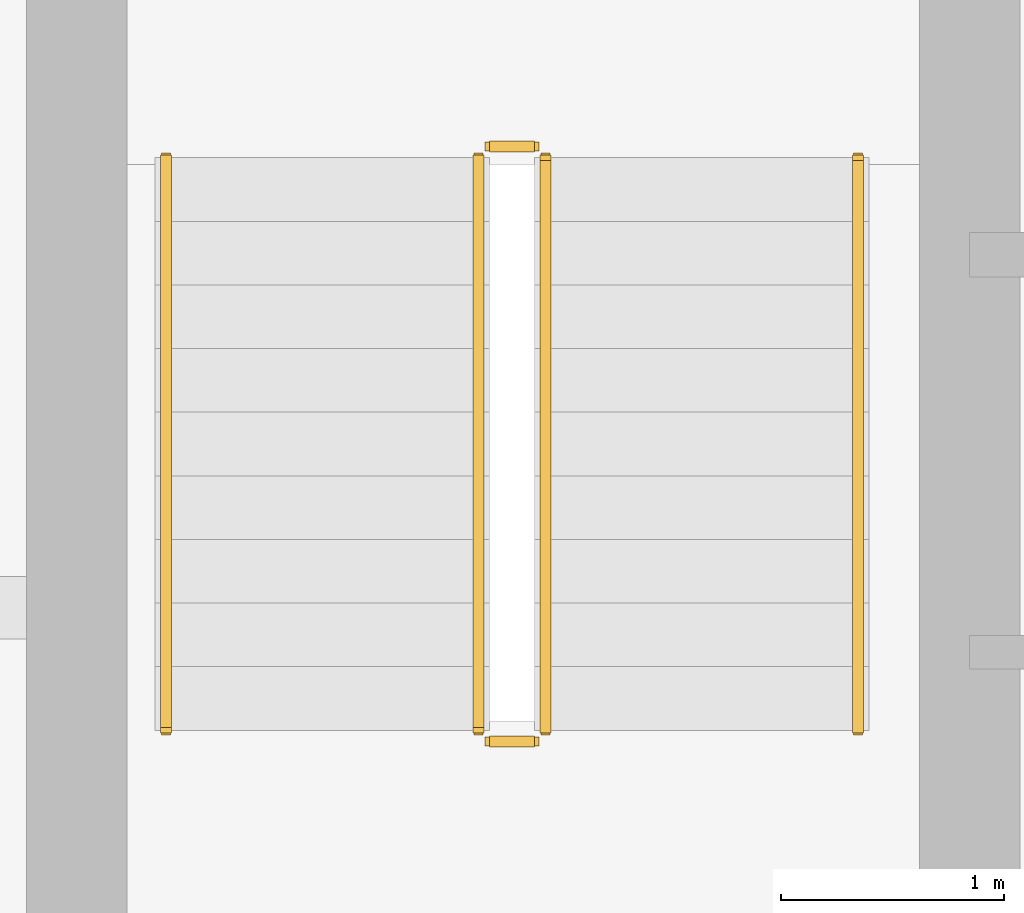
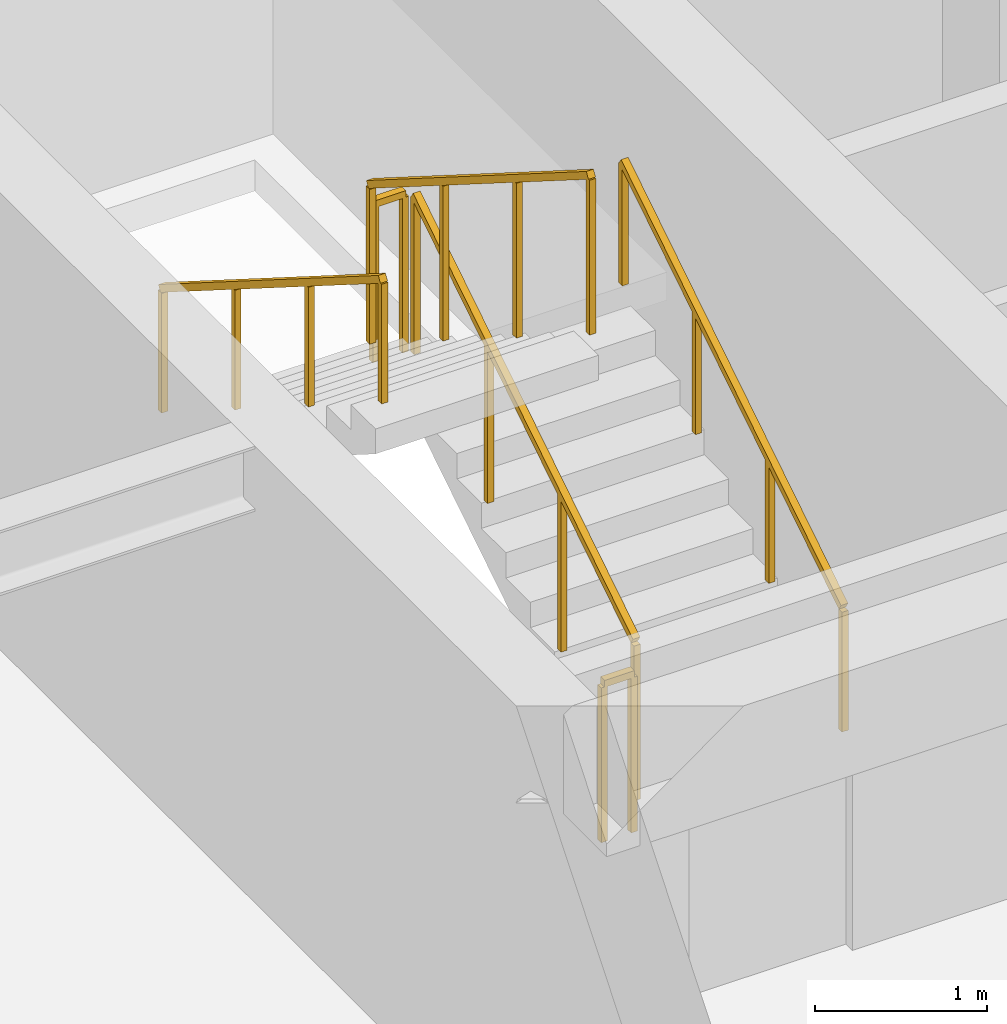
# One storey, part 26 of 28: 6 railings.
"""IFC4 building model written with IfcOpenShell, lengths in metres."""

from ifc_helpers import new_model, si_unit, direction, frame, origin, origin_2d, place, context, subcontext, project, spatial, rectangle, extrude, material, type_object, element, save


model = new_model("IFC4")

# Units and contexts
model_context = context("Model", 3, precision=1e-05, world=origin(), true_north=direction((0.0, 1.0)))
body_context = subcontext(model_context, "Body", "Model", "MODEL_VIEW")
ifc_project = project(units=[si_unit("LENGTHUNIT", "METRE"), si_unit("AREAUNIT", "SQUARE_METRE"), si_unit("VOLUMEUNIT", "CUBIC_METRE"), si_unit("PLANEANGLEUNIT", "RADIAN"), si_unit("MASSUNIT", "GRAM", prefix="KILO")], contexts=[model_context])

# Site, building, storey
site_placement = place(None, origin())
site = spatial("IfcSite", under=ifc_project, at=site_placement, CompositionType="ELEMENT")
building_placement = place(site_placement, origin())
building = spatial("IfcBuilding", under=site, at=building_placement, Name="Sarneth Arch Tower", CompositionType="ELEMENT")
storey_placement = place(building_placement, frame((0.0, 0.0, 197.39990234375)))
storey = spatial("IfcBuildingStorey", under=building, at=storey_placement, Name="L50", CompositionType="ELEMENT", Elevation=197.39990234375)

# Railings
ifc_material_1 = material(Name="Brushed Stainless Steel 304 tubular handrail", Category="steel")
railing_type_1 = type_object("IfcRailingType", Name="RAIL-HANDRAIL-900", PredefinedType="HANDRAIL", material=ifc_material_1)
railing_1_placement = place(storey_placement, frame((40.5, 41.449951171875, 0.18017578125)))
element("IfcRailing", 1, at=railing_1_placement, inside=storey, type_object=railing_type_1, Name="L50 ST-1 stair handrail 1", PredefinedType="HANDRAIL", context=body_context, shape_type="SweptSolid", body=[
    extrude(rectangle(XDim=0.048095703125, YDim=0.048095703125, at=origin_2d()), frame((0.0, 0.0, 0.8759765625), z_axis=(0.0, 0.845502289212, 0.533971796014), x_axis=(-1.0, 0.0, 0.0)), (0.0, 0.0, 1.0), 3.03369140625),
    extrude(rectangle(XDim=0.0419921875, YDim=0.0419921875, at=origin_2d()), origin(), (0.0, 0.0, 1.0), 0.851806640625),
    extrude(rectangle(XDim=0.0419921875, YDim=0.0419921875, at=origin_2d()), frame((0.0, 0.85498046875, 0.5400390625)), (0.0, 0.0, 1.0), 0.851806640625),
    extrude(rectangle(XDim=0.0419921875, YDim=0.0419921875, at=origin_2d()), frame((0.0, 1.7099609375, 1.079833984375)), (0.0, 0.0, 1.0), 0.851806640625),
    extrude(rectangle(XDim=0.0419921875, YDim=0.0419921875, at=origin_2d()), frame((0.0, 2.56494140625, 1.619873046875)), (0.0, 0.0, 1.0), 0.851806640625),
])
railing_2_placement = place(storey_placement, frame((37.39990234375, 44.014892578125, 1.97998046875)))
element("IfcRailing", 2, at=railing_2_placement, inside=storey, type_object=railing_type_1, Name="L50 ST-1 stair handrail 2", PredefinedType="HANDRAIL", context=body_context, shape_type="SweptSolid", body=[
    extrude(rectangle(XDim=0.048095703125, YDim=0.048095703125, at=origin_2d()), frame((0.0, 0.0, 0.8759765625), z_axis=(0.0, -0.845465955043, 0.534029323973), x_axis=(1.0, 0.0, 0.0)), (0.0, 0.0, 1.0), 3.03369140625),
    extrude(rectangle(XDim=0.0419921875, YDim=0.0419921875, at=origin_2d()), origin(), (0.0, 0.0, 1.0), 0.851806640625),
    extrude(rectangle(XDim=0.0419921875, YDim=0.0419921875, at=origin_2d()), frame((0.0, -0.85498046875, 0.5400390625)), (0.0, 0.0, 1.0), 0.851806640625),
    extrude(rectangle(XDim=0.0419921875, YDim=0.0419921875, at=origin_2d()), frame((0.0, -1.7099609375, 1.080078125)), (0.0, 0.0, 1.0), 0.851806640625),
    extrude(rectangle(XDim=0.0419921875, YDim=0.0419921875, at=origin_2d()), frame((0.0, -2.56494140625, 1.6201171875)), (0.0, 0.0, 1.0), 0.851806640625),
])
ifc_material_2 = material(Name="Painted Steel S275 stair well guard", Category="steel")
railing_type_2 = type_object("IfcRailingType", Name="RAIL-STAIR-GUARD", PredefinedType="GUARDRAIL", material=ifc_material_2)
railing_3_placement = place(storey_placement, frame((39.10009765625, 41.449951171875, 0.18017578125)))
element("IfcRailing", 3, at=railing_3_placement, inside=storey, type_object=railing_type_2, Name="L50 ST-1 stair guard 1", PredefinedType="GUARDRAIL", context=body_context, shape_type="SweptSolid", body=[
    extrude(rectangle(XDim=0.048095703125, YDim=0.048095703125, at=origin_2d()), frame((0.0, 0.0, 1.1259765625), z_axis=(0.0, 0.845502289212, 0.533971796014), x_axis=(-1.0, 0.0, 0.0)), (0.0, 0.0, 1.0), 3.03369140625),
    extrude(rectangle(XDim=0.0419921875, YDim=0.0419921875, at=origin_2d()), origin(), (0.0, 0.0, 1.0), 1.101806640625),
    extrude(rectangle(XDim=0.0419921875, YDim=0.0419921875, at=origin_2d()), frame((0.0, 0.85498046875, 0.5400390625)), (0.0, 0.0, 1.0), 1.101806640625),
    extrude(rectangle(XDim=0.0419921875, YDim=0.0419921875, at=origin_2d()), frame((0.0, 1.7099609375, 1.079833984375)), (0.0, 0.0, 1.0), 1.101806640625),
    extrude(rectangle(XDim=0.0419921875, YDim=0.0419921875, at=origin_2d()), frame((0.0, 2.56494140625, 1.619873046875)), (0.0, 0.0, 1.0), 1.101806640625),
])
railing_4_placement = place(storey_placement, frame((39.050048828125, 44.06494140625, 1.800048828125)))
element("IfcRailing", 4, at=railing_4_placement, inside=storey, type_object=railing_type_2, Name="L50 ST-1 stair guard 2", PredefinedType="GUARDRAIL", context=body_context, shape_type="SweptSolid", body=[
    extrude(rectangle(XDim=0.048095703125, YDim=0.048095703125, at=origin_2d()), frame((0.0, 0.0, 1.1259765625), z_axis=(-1.0, 0.0, 0.0), x_axis=(0.0, -1.0, 0.0)), (0.0, 0.0, 1.0), 0.199951171875),
    extrude(rectangle(XDim=0.0419921875, YDim=0.0419921875, at=origin_2d()), origin(), (0.0, 0.0, 1.0), 1.101806640625),
    extrude(rectangle(XDim=0.0419921875, YDim=0.0419921875, at=origin_2d()), frame((-0.199951171875, 0.0, 0.0)), (0.0, 0.0, 1.0), 1.101806640625),
])
railing_5_placement = place(storey_placement, frame((38.800048828125, 44.014892578125, 1.97998046875)))
element("IfcRailing", 5, at=railing_5_placement, inside=storey, type_object=railing_type_2, Name="L50 ST-1 stair guard 3", PredefinedType="GUARDRAIL", context=body_context, shape_type="SweptSolid", body=[
    extrude(rectangle(XDim=0.048095703125, YDim=0.048095703125, at=origin_2d()), frame((0.0, 0.0, 1.1259765625), z_axis=(0.0, -0.845465955043, 0.534029323973), x_axis=(1.0, 0.0, 0.0)), (0.0, 0.0, 1.0), 3.03369140625),
    extrude(rectangle(XDim=0.0419921875, YDim=0.0419921875, at=origin_2d()), origin(), (0.0, 0.0, 1.0), 1.101806640625),
    extrude(rectangle(XDim=0.0419921875, YDim=0.0419921875, at=origin_2d()), frame((0.0, -0.85498046875, 0.5400390625)), (0.0, 0.0, 1.0), 1.101806640625),
    extrude(rectangle(XDim=0.0419921875, YDim=0.0419921875, at=origin_2d()), frame((0.0, -1.7099609375, 1.080078125)), (0.0, 0.0, 1.0), 1.101806640625),
    extrude(rectangle(XDim=0.0419921875, YDim=0.0419921875, at=origin_2d()), frame((0.0, -2.56494140625, 1.6201171875)), (0.0, 0.0, 1.0), 1.101806640625),
])
railing_6_placement = place(storey_placement, frame((39.050048828125, 41.39990234375, 0.0)))
element("IfcRailing", 6, at=railing_6_placement, inside=storey, type_object=railing_type_2, Name="L50 ST-1 stair guard 4", PredefinedType="GUARDRAIL", context=body_context, shape_type="SweptSolid", body=[
    extrude(rectangle(XDim=0.048095703125, YDim=0.048095703125, at=origin_2d()), frame((0.0, 0.0, 1.1259765625), z_axis=(-1.0, 0.0, 0.0), x_axis=(0.0, -1.0, 0.0)), (0.0, 0.0, 1.0), 0.199951171875),
    extrude(rectangle(XDim=0.0419921875, YDim=0.0419921875, at=origin_2d()), origin(), (0.0, 0.0, 1.0), 1.101806640625),
    extrude(rectangle(XDim=0.0419921875, YDim=0.0419921875, at=origin_2d()), frame((-0.199951171875, 0.0, 0.0)), (0.0, 0.0, 1.0), 1.101806640625),
])

save(model, "model.ifc")
